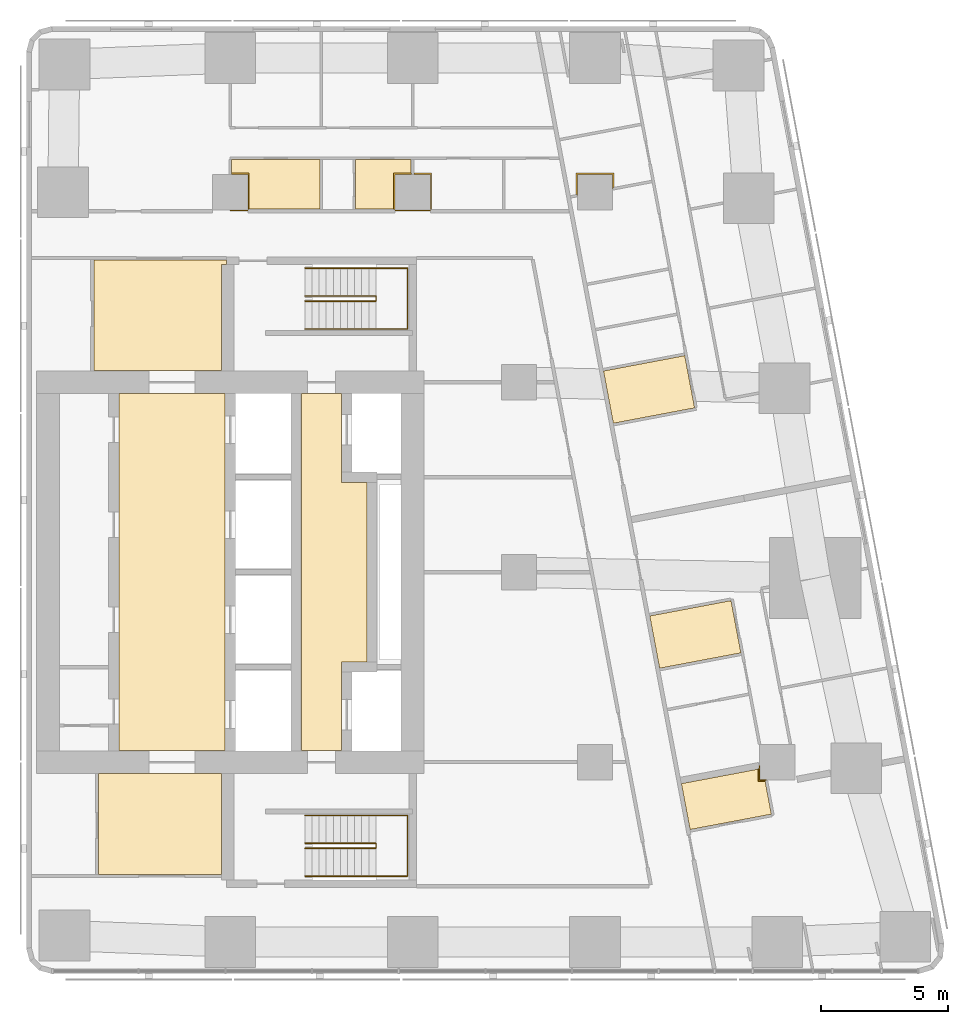
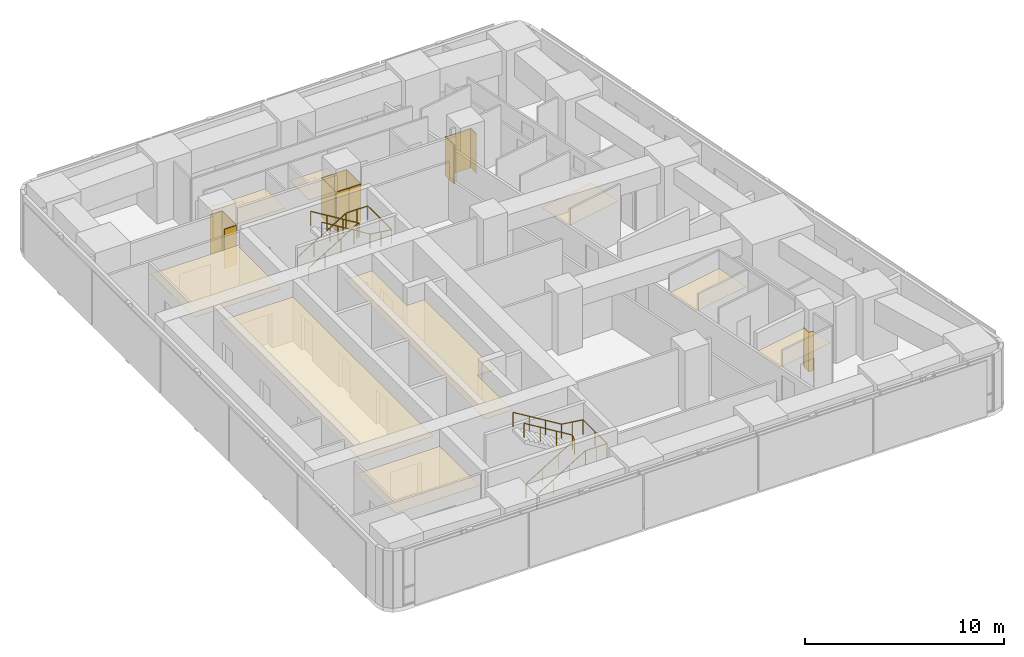
# One storey, part 11 of 11: 14 coverings, 4 railings.
"""IFC4 building model written with IfcOpenShell, lengths in metres."""

from ifc_helpers import new_model, si_unit, direction, frame, origin, origin_2d, place, context, subcontext, project, spatial, polyline, circle, outline, extrude, material, layer, layer_set, type_object, element, save


model = new_model("IFC4")

# Units and contexts
model_context = context("Model", 3, precision=1e-05, world=origin(), true_north=direction((0.0, 1.0)))
body_context = subcontext(model_context, "Body", "Model", "MODEL_VIEW")
ifc_project = project(units=[si_unit("LENGTHUNIT", "METRE"), si_unit("AREAUNIT", "SQUARE_METRE"), si_unit("VOLUMEUNIT", "CUBIC_METRE"), si_unit("PLANEANGLEUNIT", "RADIAN"), si_unit("MASSUNIT", "GRAM", prefix="KILO")], contexts=[model_context])

# Site, building, storey
site_placement = place(None, origin())
site = spatial("IfcSite", under=ifc_project, at=site_placement, CompositionType="ELEMENT")
building_placement = place(site_placement, origin())
building = spatial("IfcBuilding", under=site, at=building_placement, Name="Sheger Commons Tower", CompositionType="ELEMENT")
storey_placement = place(building_placement, frame((0.0, 0.0, 262.85009765625)))
storey = spatial("IfcBuildingStorey", under=building, at=storey_placement, Name="L67", CompositionType="ELEMENT", Elevation=262.85009765625)

# Railings
ifc_material_1 = material(Name="Steel handrail, black powder-coated", Category="steel")
railing_type = type_object("IfcRailingType", Name="HANDRAIL 900", PredefinedType="HANDRAIL", material=ifc_material_1)
railing_1_placement = place(storey_placement, frame((24.550048828125, 11.60009765625, 0.17041015625)))
element("IfcRailing", 1, at=railing_1_placement, inside=storey, type_object=railing_type, Name="Stair S1 handrail L67", PredefinedType="HANDRAIL", context=body_context, shape_type="SweptSolid", body=[
    extrude(circle(Radius=0.02392578125, at=origin_2d()), frame((0.0, 0.0, 0.8759765625), z_axis=(0.854169791009, 0.0, 0.51999420009), x_axis=(0.0, 1.0, 0.0)), (0.0, 0.0, 1.0), 3.278076171875),
    extrude(circle(Radius=0.02392578125, at=origin_2d()), frame((2.800048828125, 0.0, 2.58056640625), z_axis=(0.0, 0.761090297175, 0.648645943136), x_axis=(-1.0, 0.0, 0.0)), (0.0, 0.0, 1.0), 0.2626953125),
    extrude(circle(Radius=0.02392578125, at=origin_2d()), frame((2.800048828125, 0.199951171875, 2.7509765625), z_axis=(-0.854169791009, 0.0, 0.51999420009), x_axis=(0.0, -1.0, 0.0)), (0.0, 0.0, 1.0), 3.278076171875),
    extrude(circle(Radius=0.02099609375, at=origin_2d()), origin(), (0.0, 0.0, 1.0), 0.851806640625),
    extrude(circle(Radius=0.02099609375, at=origin_2d()), frame((0.933349609375, 0.0, 0.568115234375)), (0.0, 0.0, 1.0), 0.851806640625),
    extrude(circle(Radius=0.02099609375, at=origin_2d()), frame((1.86669921875, 0.0, 1.136474609375)), (0.0, 0.0, 1.0), 0.851806640625),
    extrude(circle(Radius=0.02099609375, at=origin_2d()), frame((2.800048828125, 0.0, 1.70458984375)), (0.0, 0.0, 1.0), 0.851806640625),
    extrude(circle(Radius=0.02099609375, at=origin_2d()), frame((2.800048828125, 0.199951171875, 1.875)), (0.0, 0.0, 1.0), 0.851806640625),
    extrude(circle(Radius=0.02099609375, at=origin_2d()), frame((1.86669921875, 0.199951171875, 2.443115234375)), (0.0, 0.0, 1.0), 0.851806640625),
    extrude(circle(Radius=0.02099609375, at=origin_2d()), frame((0.933349609375, 0.199951171875, 3.011474609375)), (0.0, 0.0, 1.0), 0.851806640625),
    extrude(circle(Radius=0.02099609375, at=origin_2d()), frame((0.0, 0.199951171875, 3.57958984375)), (0.0, 0.0, 1.0), 0.851806640625),
])
railing_2_placement = place(storey_placement, frame((24.550048828125, 10.5, 0.17041015625)))
element("IfcRailing", 2, at=railing_2_placement, inside=storey, type_object=railing_type, Name="Stair S1 handrail L67", PredefinedType="HANDRAIL", context=body_context, shape_type="SweptSolid", body=[
    extrude(circle(Radius=0.02392578125, at=origin_2d()), frame((0.0, 0.0, 0.8759765625), z_axis=(0.854169791009, 0.0, 0.51999420009), x_axis=(0.0, 1.0, 0.0)), (0.0, 0.0, 1.0), 3.278076171875),
    extrude(circle(Radius=0.02392578125, at=origin_2d()), frame((2.800048828125, 0.0, 2.58056640625), z_axis=(1.0, 0.0, 0.0), x_axis=(0.0, 1.0, 0.0)), (0.0, 0.0, 1.0), 1.25),
    extrude(circle(Radius=0.02392578125, at=origin_2d()), frame((4.050048828125, 0.0, 2.58056640625), z_axis=(0.0, 1.0, 0.0), x_axis=(-1.0, 0.0, 0.0)), (0.0, 0.0, 1.0), 2.39990234375),
    extrude(circle(Radius=0.02392578125, at=origin_2d()), frame((4.050048828125, 2.39990234375, 2.58056640625), z_axis=(-0.990834877927, 0.0, 0.135078661092), x_axis=(0.0, -1.0, 0.0)), (0.0, 0.0, 1.0), 1.261474609375),
    extrude(circle(Radius=0.02392578125, at=origin_2d()), frame((2.800048828125, 2.39990234375, 2.7509765625), z_axis=(-0.854169791009, 0.0, 0.51999420009), x_axis=(0.0, -1.0, 0.0)), (0.0, 0.0, 1.0), 3.278076171875),
    extrude(circle(Radius=0.02099609375, at=origin_2d()), origin(), (0.0, 0.0, 1.0), 0.851806640625),
    extrude(circle(Radius=0.02099609375, at=origin_2d()), frame((0.933349609375, 0.0, 0.568115234375)), (0.0, 0.0, 1.0), 0.851806640625),
    extrude(circle(Radius=0.02099609375, at=origin_2d()), frame((1.86669921875, 0.0, 1.136474609375)), (0.0, 0.0, 1.0), 0.851806640625),
    extrude(circle(Radius=0.02099609375, at=origin_2d()), frame((2.800048828125, 0.0, 1.70458984375)), (0.0, 0.0, 1.0), 0.851806640625),
    extrude(circle(Radius=0.02099609375, at=origin_2d()), frame((3.425048828125, 0.0, 1.70458984375)), (0.0, 0.0, 1.0), 0.851806640625),
    extrude(circle(Radius=0.02099609375, at=origin_2d()), frame((4.050048828125, 0.0, 1.70458984375)), (0.0, 0.0, 1.0), 0.851806640625),
    extrude(circle(Radius=0.02099609375, at=origin_2d()), frame((4.050048828125, 1.199951171875, 1.70458984375)), (0.0, 0.0, 1.0), 0.851806640625),
    extrude(circle(Radius=0.02099609375, at=origin_2d()), frame((4.050048828125, 2.39990234375, 1.70458984375)), (0.0, 0.0, 1.0), 0.851806640625),
    extrude(circle(Radius=0.02099609375, at=origin_2d()), frame((3.425048828125, 2.39990234375, 1.789794921875)), (0.0, 0.0, 1.0), 0.851806640625),
    extrude(circle(Radius=0.02099609375, at=origin_2d()), frame((2.800048828125, 2.39990234375, 1.875)), (0.0, 0.0, 1.0), 0.851806640625),
    extrude(circle(Radius=0.02099609375, at=origin_2d()), frame((1.86669921875, 2.39990234375, 2.443115234375)), (0.0, 0.0, 1.0), 0.851806640625),
    extrude(circle(Radius=0.02099609375, at=origin_2d()), frame((0.933349609375, 2.39990234375, 3.011474609375)), (0.0, 0.0, 1.0), 0.851806640625),
    extrude(circle(Radius=0.02099609375, at=origin_2d()), frame((0.0, 2.39990234375, 3.57958984375)), (0.0, 0.0, 1.0), 0.851806640625),
])
railing_3_placement = place(storey_placement, frame((24.550048828125, 33.39990234375, 0.17041015625)))
element("IfcRailing", 3, at=railing_3_placement, inside=storey, type_object=railing_type, Name="Stair S2 handrail L67", PredefinedType="HANDRAIL", context=body_context, shape_type="SweptSolid", body=[
    extrude(circle(Radius=0.02392578125, at=origin_2d()), frame((0.0, 0.0, 0.8759765625), z_axis=(0.854169791009, 0.0, 0.51999420009), x_axis=(0.0, 1.0, 0.0)), (0.0, 0.0, 1.0), 3.278076171875),
    extrude(circle(Radius=0.02392578125, at=origin_2d()), frame((2.800048828125, 0.0, 2.58056640625), z_axis=(0.0, -0.761090297175, 0.648645943136), x_axis=(1.0, 0.0, 0.0)), (0.0, 0.0, 1.0), 0.2626953125),
    extrude(circle(Radius=0.02392578125, at=origin_2d()), frame((2.800048828125, -0.199951171875, 2.7509765625), z_axis=(-0.854169791009, 0.0, 0.51999420009), x_axis=(0.0, -1.0, 0.0)), (0.0, 0.0, 1.0), 3.278076171875),
    extrude(circle(Radius=0.02099609375, at=origin_2d()), origin(), (0.0, 0.0, 1.0), 0.851806640625),
    extrude(circle(Radius=0.02099609375, at=origin_2d()), frame((0.933349609375, 0.0, 0.568115234375)), (0.0, 0.0, 1.0), 0.851806640625),
    extrude(circle(Radius=0.02099609375, at=origin_2d()), frame((1.86669921875, 0.0, 1.136474609375)), (0.0, 0.0, 1.0), 0.851806640625),
    extrude(circle(Radius=0.02099609375, at=origin_2d()), frame((2.800048828125, 0.0, 1.70458984375)), (0.0, 0.0, 1.0), 0.851806640625),
    extrude(circle(Radius=0.02099609375, at=origin_2d()), frame((2.800048828125, -0.199951171875, 1.875)), (0.0, 0.0, 1.0), 0.851806640625),
    extrude(circle(Radius=0.02099609375, at=origin_2d()), frame((1.86669921875, -0.199951171875, 2.443115234375)), (0.0, 0.0, 1.0), 0.851806640625),
    extrude(circle(Radius=0.02099609375, at=origin_2d()), frame((0.933349609375, -0.199951171875, 3.011474609375)), (0.0, 0.0, 1.0), 0.851806640625),
    extrude(circle(Radius=0.02099609375, at=origin_2d()), frame((0.0, -0.199951171875, 3.57958984375)), (0.0, 0.0, 1.0), 0.851806640625),
])
railing_4_placement = place(storey_placement, frame((24.550048828125, 34.5, 0.17041015625)))
element("IfcRailing", 4, at=railing_4_placement, inside=storey, type_object=railing_type, Name="Stair S2 handrail L67", PredefinedType="HANDRAIL", context=body_context, shape_type="SweptSolid", body=[
    extrude(circle(Radius=0.02392578125, at=origin_2d()), frame((0.0, 0.0, 0.8759765625), z_axis=(0.854169791009, 0.0, 0.51999420009), x_axis=(0.0, 1.0, 0.0)), (0.0, 0.0, 1.0), 3.278076171875),
    extrude(circle(Radius=0.02392578125, at=origin_2d()), frame((2.800048828125, 0.0, 2.58056640625), z_axis=(1.0, 0.0, 0.0), x_axis=(0.0, 1.0, 0.0)), (0.0, 0.0, 1.0), 1.25),
    extrude(circle(Radius=0.02392578125, at=origin_2d()), frame((4.050048828125, 0.0, 2.58056640625), z_axis=(0.0, -1.0, 0.0), x_axis=(1.0, 0.0, 0.0)), (0.0, 0.0, 1.0), 2.39990234375),
    extrude(circle(Radius=0.02392578125, at=origin_2d()), frame((4.050048828125, -2.39990234375, 2.58056640625), z_axis=(-0.990834877927, 0.0, 0.135078661092), x_axis=(0.0, -1.0, 0.0)), (0.0, 0.0, 1.0), 1.261474609375),
    extrude(circle(Radius=0.02392578125, at=origin_2d()), frame((2.800048828125, -2.39990234375, 2.7509765625), z_axis=(-0.854169791009, 0.0, 0.51999420009), x_axis=(0.0, -1.0, 0.0)), (0.0, 0.0, 1.0), 3.278076171875),
    extrude(circle(Radius=0.02099609375, at=origin_2d()), origin(), (0.0, 0.0, 1.0), 0.851806640625),
    extrude(circle(Radius=0.02099609375, at=origin_2d()), frame((0.933349609375, 0.0, 0.568115234375)), (0.0, 0.0, 1.0), 0.851806640625),
    extrude(circle(Radius=0.02099609375, at=origin_2d()), frame((1.86669921875, 0.0, 1.136474609375)), (0.0, 0.0, 1.0), 0.851806640625),
    extrude(circle(Radius=0.02099609375, at=origin_2d()), frame((2.800048828125, 0.0, 1.70458984375)), (0.0, 0.0, 1.0), 0.851806640625),
    extrude(circle(Radius=0.02099609375, at=origin_2d()), frame((3.425048828125, 0.0, 1.70458984375)), (0.0, 0.0, 1.0), 0.851806640625),
    extrude(circle(Radius=0.02099609375, at=origin_2d()), frame((4.050048828125, 0.0, 1.70458984375)), (0.0, 0.0, 1.0), 0.851806640625),
    extrude(circle(Radius=0.02099609375, at=origin_2d()), frame((4.050048828125, -1.199951171875, 1.70458984375)), (0.0, 0.0, 1.0), 0.851806640625),
    extrude(circle(Radius=0.02099609375, at=origin_2d()), frame((4.050048828125, -2.39990234375, 1.70458984375)), (0.0, 0.0, 1.0), 0.851806640625),
    extrude(circle(Radius=0.02099609375, at=origin_2d()), frame((3.425048828125, -2.39990234375, 1.789794921875)), (0.0, 0.0, 1.0), 0.851806640625),
    extrude(circle(Radius=0.02099609375, at=origin_2d()), frame((2.800048828125, -2.39990234375, 1.875)), (0.0, 0.0, 1.0), 0.851806640625),
    extrude(circle(Radius=0.02099609375, at=origin_2d()), frame((1.86669921875, -2.39990234375, 2.443115234375)), (0.0, 0.0, 1.0), 0.851806640625),
    extrude(circle(Radius=0.02099609375, at=origin_2d()), frame((0.933349609375, -2.39990234375, 3.011474609375)), (0.0, 0.0, 1.0), 0.851806640625),
    extrude(circle(Radius=0.02099609375, at=origin_2d()), frame((0.0, -2.39990234375, 3.57958984375)), (0.0, 0.0, 1.0), 0.851806640625),
])

# Coverings
ifc_material_2 = material(Name="Moisture-resistant gypsum plasterboard 15 mm on a suspended galvanised steel grid", Category="steel")
ifc_layer_1 = layer(ifc_material_2, 0.014892578125)
ifc_layer_set_1 = layer_set([ifc_layer_1], Name="MOISTURE-RESISTANT CEILING 15")
covering_type_1 = type_object("IfcCoveringType", Name="MOISTURE-RESISTANT CEILING 15", PredefinedType="CEILING", material=ifc_layer_set_1)
covering_1_placement = place(storey_placement, frame((0.0, 0.0, 2.39990234375)))
element("IfcCovering", 5, at=covering_1_placement, inside=storey, type_object=covering_type_1, Name="L67-01.B1 ceiling", PredefinedType="CEILING", context=body_context, shape_type="SweptSolid", body=[
    extrude(outline(polyline([(36.72509765625, 28.37890625), (39.93310546875, 28.986083984375), (39.54296875, 31.049072265625), (36.3349609375, 30.443115234375), (36.72509765625, 28.37890625)])), origin(), (0.0, 0.0, 1.0), 0.014892578125),
])
covering_2_placement = place(storey_placement, frame((0.0, 0.0, 2.39990234375)))
element("IfcCovering", 6, at=covering_2_placement, inside=storey, type_object=covering_type_1, Name="L67-02.B1 ceiling", PredefinedType="CEILING", context=body_context, shape_type="SweptSolid", body=[
    extrude(outline(polyline([(38.552001953125, 18.7080078125), (41.760009765625, 19.31396484375), (41.3701171875, 21.3779296875), (38.162109375, 20.77197265625), (38.552001953125, 18.7080078125)])), origin(), (0.0, 0.0, 1.0), 0.014892578125),
])
covering_3_placement = place(storey_placement, frame((0.0, 0.0, 2.39990234375)))
element("IfcCovering", 7, at=covering_3_placement, inside=storey, type_object=covering_type_1, Name="L67-03.B1 ceiling", PredefinedType="CEILING", context=body_context, shape_type="SweptSolid", body=[
    extrude(outline(polyline([(39.7548828125, 12.340087890625), (42.962890625, 12.946044921875), (42.7099609375, 14.284912109375), (42.7529296875, 14.29296875), (42.7529296875, 14.294921875), (42.4951171875, 14.294921875), (42.4951171875, 14.73388671875), (39.412109375, 14.152099609375), (39.7548828125, 12.340087890625)])), origin(), (0.0, 0.0, 1.0), 0.014892578125),
])
covering_4_placement = place(storey_placement, frame((0.0, 0.0, 2.39990234375)))
element("IfcCovering", 8, at=covering_4_placement, inside=storey, type_object=covering_type_1, Name="L67-04.B1 ceiling", PredefinedType="CEILING", context=body_context, shape_type="SweptSolid", body=[
    extrude(outline(polyline([(22.304931640625, 36.830078125), (25.14501953125, 36.830078125), (25.14501953125, 38.794921875), (21.655029296875, 38.794921875), (21.655029296875, 38.205078125), (22.304931640625, 38.205078125), (22.304931640625, 36.830078125)])), origin(), (0.0, 0.0, 1.0), 0.014892578125),
])
covering_5_placement = place(storey_placement, frame((0.0, 0.0, 2.39990234375)))
element("IfcCovering", 9, at=covering_5_placement, inside=storey, type_object=covering_type_1, Name="L67-04.B2 ceiling", PredefinedType="CEILING", context=body_context, shape_type="SweptSolid", body=[
    extrude(outline(polyline([(26.554931640625, 36.830078125), (28.094970703125, 36.830078125), (28.094970703125, 38.205078125), (28.7451171875, 38.205078125), (28.7451171875, 38.794921875), (26.554931640625, 38.794921875), (26.554931640625, 36.830078125)])), origin(), (0.0, 0.0, 1.0), 0.014892578125),
])
ifc_material_3 = material(Name="Gypsum plasterboard 15 mm on a suspended steel grid", Category="steel")
ifc_layer_2 = layer(ifc_material_3, 0.014892578125)
ifc_layer_set_2 = layer_set([ifc_layer_2], Name="SUSPENDED CEILING 15")
covering_type_2 = type_object("IfcCoveringType", Name="SUSPENDED CEILING 15", PredefinedType="CEILING", material=ifc_layer_set_2)
covering_6_placement = place(storey_placement, frame((0.0, 0.0, 2.699951171875)))
element("IfcCovering", 10, at=covering_6_placement, inside=storey, type_object=covering_type_2, Name="L67-SVS1 ceiling", PredefinedType="CEILING", context=body_context, shape_type="SweptSolid", body=[
    extrude(outline(polyline([(16.406982421875, 10.568115234375), (21.2451171875, 10.568115234375), (21.2451171875, 14.544921875), (16.406982421875, 14.544921875), (16.406982421875, 10.568115234375)])), origin(), (0.0, 0.0, 1.0), 0.014892578125),
])
covering_7_placement = place(storey_placement, frame((0.0, 0.0, 2.699951171875)))
element("IfcCovering", 11, at=covering_7_placement, inside=storey, type_object=covering_type_2, Name="L67-SVN1 ceiling", PredefinedType="CEILING", context=body_context, shape_type="SweptSolid", body=[
    extrude(outline(polyline([(16.217041015625, 30.455078125), (21.2451171875, 30.455078125), (21.2451171875, 34.655029296875), (21.445068359375, 34.655029296875), (21.445068359375, 34.83203125), (16.217041015625, 34.83203125), (16.217041015625, 30.455078125)])), origin(), (0.0, 0.0, 1.0), 0.014892578125),
])
covering_8_placement = place(storey_placement, frame((0.0, 0.0, 2.699951171875)))
element("IfcCovering", 12, at=covering_8_placement, inside=storey, type_object=covering_type_2, Name="L67-LL ceiling", PredefinedType="CEILING", context=body_context, shape_type="SweptSolid", body=[
    extrude(outline(polyline([(17.205078125, 15.455078125), (21.39990234375, 15.455078125), (21.39990234375, 29.544921875), (17.205078125, 29.544921875), (17.205078125, 15.455078125)])), origin(), (0.0, 0.0, 1.0), 0.014892578125),
])
covering_9_placement = place(storey_placement, frame((0.0, 0.0, 2.699951171875)))
element("IfcCovering", 13, at=covering_9_placement, inside=storey, type_object=covering_type_2, Name="L67-FL ceiling", PredefinedType="CEILING", context=body_context, shape_type="SweptSolid", body=[
    extrude(outline(polyline([(24.405029296875, 15.455078125), (25.9951171875, 15.455078125), (25.9951171875, 18.955078125), (26.9951171875, 18.955078125), (26.9951171875, 26.044921875), (25.9951171875, 26.044921875), (25.9951171875, 29.544921875), (24.405029296875, 29.544921875), (24.405029296875, 15.455078125)])), origin(), (0.0, 0.0, 1.0), 0.014892578125),
])
ifc_material_4 = material(Name="Moisture-resistant gypsum board 12.5 mm on 25 mm treated timber battens, tanked and tiled", Category="wood")
ifc_layer_3 = layer(ifc_material_4, 0.050048828125)
ifc_layer_set_3 = layer_set([ifc_layer_3], Name="WET-ROOM COLUMN LINING")
covering_type_3 = type_object("IfcCoveringType", Name="WET-ROOM COLUMN LINING", PredefinedType="CLADDING", material=ifc_layer_set_3)
covering_10_placement = place(storey_placement, origin())
element("IfcCovering", 14, at=covering_10_placement, inside=storey, type_object=covering_type_3, Name="Shower room column lining C11 L67", PredefinedType="CLADDING", context=body_context, shape_type="SweptSolid", body=[
    extrude(outline(polyline([(42.5, 14.866943359375), (42.5, 14.300048828125), (42.762939453125, 14.300048828125), (42.764892578125, 14.2900390625), (42.716064453125, 14.281005859375), (42.721923828125, 14.25), (42.449951171875, 14.25), (42.449951171875, 14.73095703125), (42.4990234375, 14.739990234375), (42.47607421875, 14.862060546875), (42.5, 14.866943359375)])), origin(), (0.0, 0.0, 1.0), 2.39990234375),
])
covering_11_placement = place(storey_placement, origin())
element("IfcCovering", 15, at=covering_11_placement, inside=storey, type_object=covering_type_3, Name="Bathroom column lining C11 L67", PredefinedType="CLADDING", context=body_context, shape_type="SweptSolid", body=[
    extrude(outline(polyline([(22.35009765625, 36.824951171875), (22.301025390625, 36.824951171875), (22.301025390625, 36.75), (21.60009765625, 36.75), (21.60009765625, 36.800048828125), (22.300048828125, 36.800048828125), (22.300048828125, 38.199951171875), (21.60009765625, 38.199951171875), (21.60009765625, 38.200927734375), (21.64990234375, 38.200927734375), (21.64990234375, 38.25), (22.35009765625, 38.25), (22.35009765625, 36.824951171875)])), origin(), (0.0, 0.0, 1.0), 2.39990234375),
])
covering_12_placement = place(storey_placement, origin())
element("IfcCovering", 16, at=covering_12_placement, inside=storey, type_object=covering_type_3, Name="Shower room column lining C11 L67", PredefinedType="CLADDING", context=body_context, shape_type="SweptSolid", body=[
    extrude(outline(polyline([(28.75, 38.25), (28.75, 38.200927734375), (28.800048828125, 38.200927734375), (28.800048828125, 38.199951171875), (28.10009765625, 38.199951171875), (28.10009765625, 36.800048828125), (28.800048828125, 36.800048828125), (28.800048828125, 36.75), (28.09912109375, 36.75), (28.09912109375, 36.824951171875), (28.050048828125, 36.824951171875), (28.050048828125, 38.25), (28.75, 38.25)])), origin(), (0.0, 0.0, 1.0), 2.39990234375),
])
covering_13_placement = place(storey_placement, origin())
element("IfcCovering", 17, at=covering_13_placement, inside=storey, type_object=covering_type_3, Name="Laundry room column lining C11 L67", PredefinedType="CLADDING", context=body_context, shape_type="SweptSolid", body=[
    extrude(outline(polyline([(29.550048828125, 36.824951171875), (29.5009765625, 36.824951171875), (29.5009765625, 36.75), (28.800048828125, 36.75), (28.800048828125, 36.800048828125), (29.5, 36.800048828125), (29.5, 38.199951171875), (28.800048828125, 38.199951171875), (28.800048828125, 38.200927734375), (28.85009765625, 38.200927734375), (28.85009765625, 38.25), (29.550048828125, 38.25), (29.550048828125, 36.824951171875)])), origin(), (0.0, 0.0, 1.0), 2.39990234375),
])
covering_14_placement = place(storey_placement, origin())
element("IfcCovering", 18, at=covering_14_placement, inside=storey, type_object=covering_type_3, Name="Laundry room column lining C11 L67", PredefinedType="CLADDING", context=body_context, shape_type="SweptSolid", body=[
    extrude(outline(polyline([(36.75, 38.25), (36.75, 37.69189453125), (36.700927734375, 37.68310546875), (36.7099609375, 37.635009765625), (36.699951171875, 37.633056640625), (36.699951171875, 38.199951171875), (35.300048828125, 38.199951171875), (35.300048828125, 37.367919921875), (35.2900390625, 37.365966796875), (35.281005859375, 37.4150390625), (35.25, 37.408935546875), (35.25, 38.25), (36.75, 38.25)])), origin(), (0.0, 0.0, 1.0), 2.39990234375),
])

save(model, "model.ifc")
